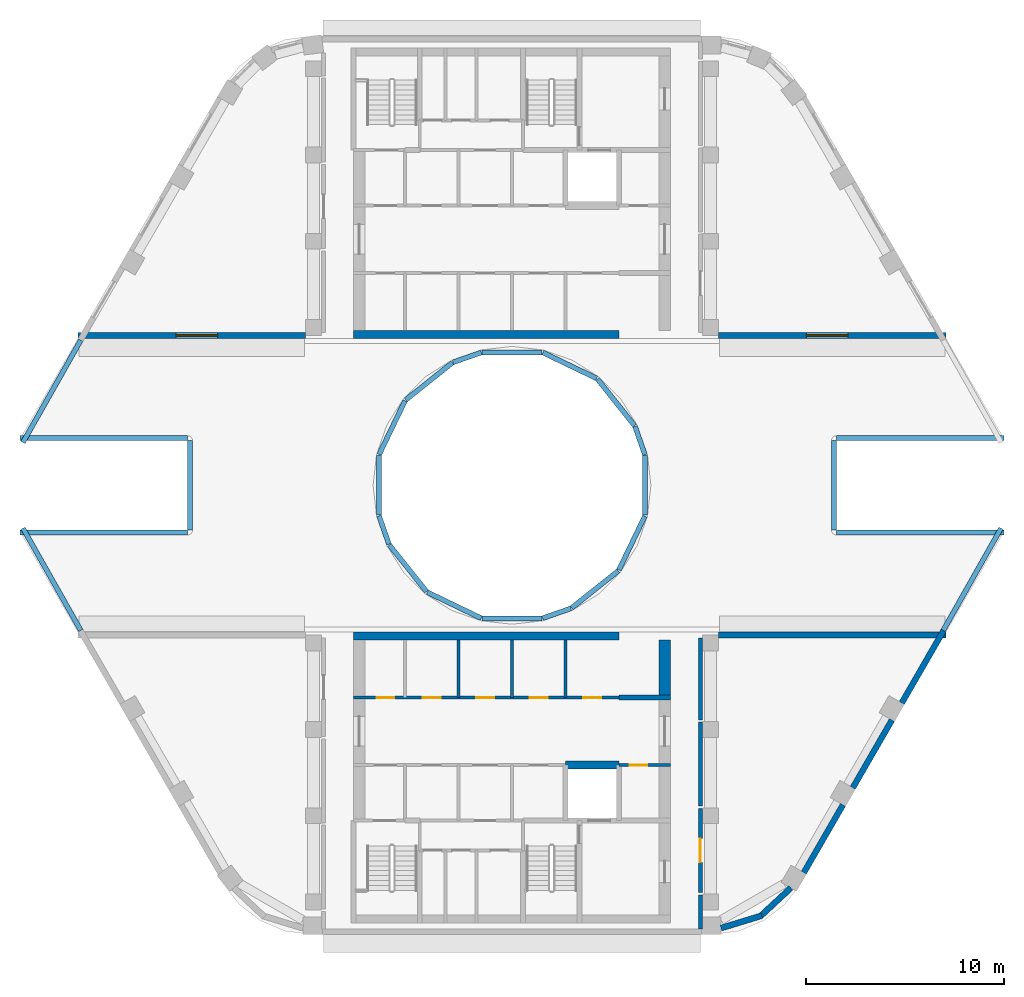
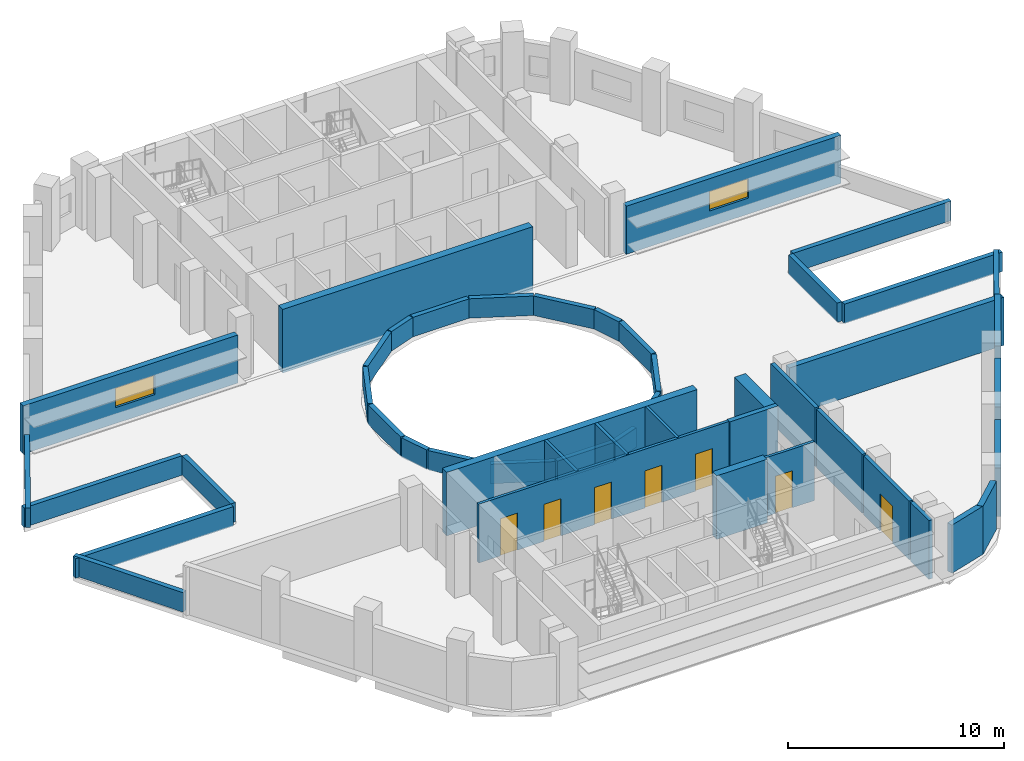
# One storey, part 3 of 9: 47 walls, 7 doors, 2 windows, 9 openings.
"""IFC4 building model written with IfcOpenShell, lengths in metres."""

from ifc_helpers import new_model, si_unit, direction, frame, frame_2d, origin, place, context, subcontext, project, spatial, rectangle, extrude, material, layer, layer_set, type_object, element, fill, save


model = new_model("IFC4")

# Units and contexts
model_context = context("Model", 3, precision=1e-05, world=origin(), true_north=direction((0.0, 1.0)))
body_context = subcontext(model_context, "Body", "Model", "MODEL_VIEW")
ifc_project = project(units=[si_unit("LENGTHUNIT", "METRE"), si_unit("AREAUNIT", "SQUARE_METRE"), si_unit("VOLUMEUNIT", "CUBIC_METRE"), si_unit("PLANEANGLEUNIT", "RADIAN"), si_unit("MASSUNIT", "GRAM", prefix="KILO")], contexts=[model_context])

# Site, building, storey
site_placement = place(None, origin())
site = spatial("IfcSite", under=ifc_project, at=site_placement, CompositionType="ELEMENT")
building_placement = place(site_placement, origin())
building = spatial("IfcBuilding", under=site, at=building_placement, Name="Nakaniwa Court", CompositionType="ELEMENT")
storey_placement = place(building_placement, frame((0.0, 0.0, 276.0)))
storey = spatial("IfcBuildingStorey", under=building, at=storey_placement, Name="C02", CompositionType="ELEMENT", Elevation=276.0)

# Wall
ifc_material_1 = material(Name="Acoustic double stud partition")
ifc_layer_1 = layer(ifc_material_1, 0.199951171875)
ifc_layer_set_1 = layer_set([ifc_layer_1], Name="Acoustic double stud partition")
wall_type_1 = type_object("IfcWallType", Name="Acoustic double stud partition 200", PredefinedType="PARTITIONING", material=ifc_layer_set_1)
wall_1_placement = place(storey_placement, frame((89.5, 57.64990234375, 0.0), z_axis=(0.0, 0.0, 1.0), x_axis=(0.0, 1.0, 0.0)))
element("IfcWall", 1, at=wall_1_placement, inside=storey, type_object=wall_type_1, Name="Partition PW-057", PredefinedType="PARTITIONING", context=body_context, shape_type="SweptSolid", body=[
    extrude(rectangle(XDim=1.713134765625, YDim=0.199951171875, at=frame_2d((0.8564453125, 0.0))), origin(), (0.0, 0.0, 1.0), 3.324951171875),
])

# Wall, opening, door
wall_2_placement = place(storey_placement, frame((89.5, 63.712890625, 0.0), z_axis=(0.0, 0.0, 1.0), x_axis=(0.0, -1.0, 0.0)))
wall_2 = element("IfcWall", 2, at=wall_2_placement, inside=storey, type_object=wall_type_1, Name="Partition PW-058", PredefinedType="PARTITIONING", context=body_context, shape_type="SweptSolid", body=[
    extrude(rectangle(XDim=4.23583984375, YDim=0.199951171875, at=frame_2d((2.117919921875, 0.0))), origin(), (0.0, 0.0, 1.0), 3.324951171875),
])
opening_1_placement = place(wall_2_placement, frame((1.51806640625, 0.0, 0.0)))
opening_1 = element("IfcOpeningElement", 3, at=opening_1_placement, cuts=wall_2, Name="Opening D-30-01", PredefinedType="OPENING", context=body_context, shape_type="SweptSolid", body=[
    extrude(rectangle(XDim=1.199951171875, YDim=2.10009765625, at=frame_2d((0.60009765625, 1.050048828125))), frame((0.0, 0.10986328125, 0.0), z_axis=(0.0, -1.0, 0.0), x_axis=(1.0, 0.0, 0.0)), (0.0, 0.0, 1.0), 0.219970703125),
])
ifc_material_2 = material(Name="Solid core timber door set, black veneer", Category="wood")
door_type_1 = type_object("IfcDoorType", Name="Internal door 1200", OperationType="NOTDEFINED", PredefinedType="DOOR", material=ifc_material_2)
door_1_placement = place(opening_1_placement, origin())
door_1 = element("IfcDoor", 4, at=door_1_placement, inside=storey, type_object=door_type_1, Name="Door D-30-01 C02-033", OperationType="SINGLE_SWING_RIGHT", OverallHeight=2.10009765625, OverallWidth=1.199951171875, PredefinedType="DOOR", context=body_context, shape_type="SweptSolid", body=[
    extrude(rectangle(XDim=1.199951171875, YDim=2.10009765625, at=frame_2d((0.60009765625, 1.050048828125))), frame((0.0, 0.02490234375, 0.0), z_axis=(0.0, -1.0, 0.0), x_axis=(1.0, 0.0, 0.0)), (0.0, 0.0, 1.0), 0.050048828125),
])
fill(opening_1, door_1)

# Walls
wall_3_placement = place(storey_placement, frame((89.5, 63.826904296875, 0.0), z_axis=(0.0, 0.0, 1.0), x_axis=(0.0, 1.0, 0.0)))
element("IfcWall", 5, at=wall_3_placement, inside=storey, type_object=wall_type_1, Name="Partition PW-059", PredefinedType="PARTITIONING", context=body_context, shape_type="SweptSolid", body=[
    extrude(rectangle(XDim=4.236083984375, YDim=0.199951171875, at=frame_2d((2.1181640625, 0.0))), origin(), (0.0, 0.0, 1.0), 3.324951171875),
])
wall_4_placement = place(storey_placement, frame((89.5, 68.177001953125, 0.0), z_axis=(0.0, 0.0, 1.0), x_axis=(0.0, 1.0, 0.0)))
element("IfcWall", 6, at=wall_4_placement, inside=storey, type_object=wall_type_1, Name="Partition PW-060", PredefinedType="PARTITIONING", context=body_context, shape_type="SweptSolid", body=[
    extrude(rectangle(XDim=4.123046875, YDim=0.199951171875, at=frame_2d((2.0615234375, 0.0))), origin(), (0.0, 0.0, 1.0), 3.324951171875),
])
ifc_material_3 = material(Name="Charcoal ceramic cladding")
ifc_layer_2 = layer(ifc_material_3, 0.02, Name="Ceramic cladding")
ifc_material_4 = material(Name="Ventilated air cavity")
ifc_layer_3 = layer(ifc_material_4, 0.04, ventilated=True, Name="Ventilated cavity")
ifc_material_5 = material(Name="Mineral wool insulation")
ifc_layer_4 = layer(ifc_material_5, 0.1, Name="Insulation")
ifc_material_6 = material(Name="Cement bonded sheathing board")
ifc_layer_5 = layer(ifc_material_6, 0.012, Name="Sheathing")
ifc_material_7 = material(Name="Cold-formed galvanised stud frame with mineral wool infill")
ifc_layer_6 = layer(ifc_material_7, 0.1, Name="Stud frame")
ifc_material_8 = material(Name="Fire-rated gypsum plasterboard lining")
ifc_layer_7 = layer(ifc_material_8, 0.028, Name="Lining")
ifc_layer_set_2 = layer_set([ifc_layer_2, ifc_layer_3, ifc_layer_4, ifc_layer_5, ifc_layer_6, ifc_layer_7], Name="Charcoal ceramic faced external wall system")
wall_type_2 = type_object("IfcWallType", Name="Black ceramic faced external wall 300", PredefinedType="SOLIDWALL", material=ifc_layer_set_2)
for number, where, z_axis, x_axis, name in (
    (7, (94.7109375, 60.47998046875, 0.0), (0.0, 0.0, 1.0), (0.499986771468, 0.866033041146, 0.0), "C02 external wall 00"),
    (8, (97.178955078125, 64.7548828125, 0.0), (0.0, 0.0, 1.0), (0.499986771468, 0.866033041146, 0.0), "C02 external wall 01"),
):
    element("IfcWall", number, at=place(storey_placement, frame(where, z_axis=z_axis, x_axis=x_axis)), inside=storey, type_object=wall_type_2, Name=name, PredefinedType="SOLIDWALL", context=body_context, shape_type="SweptSolid", body=[
        extrude(rectangle(XDim=3.9443359375, YDim=0.300048828125, at=frame_2d((1.97216796875, 0.0))), origin(), (0.0, 0.0, 1.0), 2.72509765625),
    ])
wall_5_placement = place(storey_placement, frame((99.647216796875, 69.02978515625, 0.0), z_axis=(0.0, 0.0, 1.0), x_axis=(0.499981865284, 0.866035873614, 0.0)))
element("IfcWall", 9, at=wall_5_placement, inside=storey, type_object=wall_type_2, Name="C02 external wall 02", PredefinedType="SOLIDWALL", context=body_context, shape_type="SweptSolid", body=[
    extrude(rectangle(XDim=4.209228515625, YDim=0.300048828125, at=frame_2d((2.1044921875, 0.0))), origin(), (0.0, 0.0, 1.0), 2.72509765625),
])
wall_6_placement = place(storey_placement, frame((101.881591796875, 72.449951171875, 0.0), z_axis=(0.0, 0.0, 1.0), x_axis=(-1.0, 0.0, 0.0)))
element("IfcWall", 10, at=wall_6_placement, inside=storey, type_object=wall_type_2, Name="C02 external wall 03", PredefinedType="SOLIDWALL", context=body_context, shape_type="SweptSolid", body=[
    extrude(rectangle(XDim=11.485595703125, YDim=0.300048828125, at=frame_2d((5.74267578125, 0.0))), origin(), (0.0, 0.0, 1.0), 2.72509765625),
])
wall_7_placement = place(storey_placement, frame((90.53564453125, 57.68310546875, 0.0), z_axis=(0.0, 0.0, 1.0), x_axis=(0.956094906027, 0.293057213987, 0.0)))
element("IfcWall", 11, at=wall_7_placement, inside=storey, type_object=wall_type_2, Name="C02 external wall 11", PredefinedType="SOLIDWALL", context=body_context, shape_type="SweptSolid", body=[
    extrude(rectangle(XDim=2.15185546875, YDim=0.300048828125, at=frame_2d((1.075927734375, 0.0))), origin(), (0.0, 0.0, 1.0), 2.72509765625),
])
wall_8_placement = place(storey_placement, frame((92.485107421875, 58.25048828125, 0.0), z_axis=(0.0, 0.0, 1.0), x_axis=(0.732075899412, 0.681223074697, 0.0)))
element("IfcWall", 12, at=wall_8_placement, inside=storey, type_object=wall_type_2, Name="C02 external wall 12", PredefinedType="SOLIDWALL", context=body_context, shape_type="SweptSolid", body=[
    extrude(rectangle(XDim=2.14599609375, YDim=0.300048828125, at=frame_2d((1.072998046875, 0.0))), origin(), (0.0, 0.0, 1.0), 2.72509765625),
])

# Wall, opening, window
wall_9_placement = place(storey_placement, frame((58.118408203125, 87.550048828125, 0.0), z_axis=(0.0, 0.0, 1.0), x_axis=(1.0, 0.0, 0.0)))
wall_9 = element("IfcWall", 13, at=wall_9_placement, inside=storey, type_object=wall_type_2, Name="C02 external wall 16", PredefinedType="SOLIDWALL", context=body_context, shape_type="SweptSolid", body=[
    extrude(rectangle(XDim=11.485595703125, YDim=0.300048828125, at=frame_2d((5.74267578125, 0.0))), origin(), (0.0, 0.0, 1.0), 2.72509765625),
])
opening_2_placement = place(wall_9_placement, frame((4.9462890625, 0.0, 0.89990234375)))
opening_2 = element("IfcOpeningElement", 14, at=opening_2_placement, cuts=wall_9, Name="Opening W7.04", PredefinedType="OPENING", context=body_context, shape_type="SweptSolid", body=[
    extrude(rectangle(XDim=2.10009765625, YDim=1.10009765625, at=frame_2d((1.050048828125, 0.550048828125))), frame((0.0, 0.159912109375, 0.0), z_axis=(0.0, -1.0, 0.0), x_axis=(1.0, 0.0, 0.0)), (0.0, 0.0, 1.0), 0.320068359375),
])
ifc_material_9 = material(Name="Black anodised aluminium frame with dark low-E laminated double glazing", Category="aluminium")
window_type = type_object("IfcWindowType", Name="Dark glass window 2100x1100 sill 900", PartitioningType="SINGLE_PANEL", PredefinedType="WINDOW", material=ifc_material_9)
window_1_placement = place(opening_2_placement, origin())
window_1 = element("IfcWindow", 15, at=window_1_placement, inside=storey, type_object=window_type, Name="C02 habitable room window 16-0", OverallHeight=1.10009765625, OverallWidth=2.10009765625, PartitioningType="SINGLE_PANEL", PredefinedType="WINDOW", context=body_context, shape_type="SweptSolid", body=[
    extrude(rectangle(XDim=2.10009765625, YDim=1.10009765625, at=frame_2d((1.050048828125, 0.550048828125))), frame((0.0, 0.030029296875, 0.0), z_axis=(0.0, -1.0, 0.0), x_axis=(1.0, 0.0, 0.0)), (0.0, 0.0, 1.0), 0.06005859375),
])
fill(opening_2, window_1)

wall_10_placement = place(storey_placement, frame((90.39599609375, 87.550048828125, 0.0), z_axis=(0.0, 0.0, 1.0), x_axis=(1.0, 0.0, 0.0)))
wall_10 = element("IfcWall", 16, at=wall_10_placement, inside=storey, type_object=wall_type_2, Name="C02 external wall 17", PredefinedType="SOLIDWALL", context=body_context, shape_type="SweptSolid", body=[
    extrude(rectangle(XDim=11.485595703125, YDim=0.300048828125, at=frame_2d((5.74267578125, 0.0))), origin(), (0.0, 0.0, 1.0), 2.72509765625),
])
opening_3_placement = place(wall_10_placement, frame((4.439208984375, 0.0, 0.89990234375)))
opening_3 = element("IfcOpeningElement", 17, at=opening_3_placement, cuts=wall_10, Name="Opening W7.05", PredefinedType="OPENING", context=body_context, shape_type="SweptSolid", body=[
    extrude(rectangle(XDim=2.10009765625, YDim=1.10009765625, at=frame_2d((1.050048828125, 0.550048828125))), frame((0.0, 0.159912109375, 0.0), z_axis=(0.0, -1.0, 0.0), x_axis=(1.0, 0.0, 0.0)), (0.0, 0.0, 1.0), 0.320068359375),
])
window_2_placement = place(opening_3_placement, origin())
window_2 = element("IfcWindow", 18, at=window_2_placement, inside=storey, type_object=window_type, Name="C02 habitable room window 17-0", OverallHeight=1.10009765625, OverallWidth=2.10009765625, PartitioningType="SINGLE_PANEL", PredefinedType="WINDOW", context=body_context, shape_type="SweptSolid", body=[
    extrude(rectangle(XDim=2.10009765625, YDim=1.10009765625, at=frame_2d((1.050048828125, 0.550048828125))), frame((0.0, 0.030029296875, 0.0), z_axis=(0.0, -1.0, 0.0), x_axis=(1.0, 0.0, 0.0)), (0.0, 0.0, 1.0), 0.06005859375),
])
fill(opening_3, window_2)

# Walls
ifc_layer_8 = layer(ifc_material_3, 0.02, Name="Ceramic cladding")
ifc_layer_9 = layer(ifc_material_5, 0.03, Name="Insulation")
ifc_material_10 = material(Name="Precast concrete C40/50", Category="concrete")
ifc_layer_10 = layer(ifc_material_10, 0.2, Name="Parapet upstand")
ifc_layer_set_3 = layer_set([ifc_layer_8, ifc_layer_9, ifc_layer_10], Name="Charcoal ceramic cladding on precast concrete C40/50 upstand")
wall_type_3 = type_object("IfcWallType", Name="Black ceramic parapet 250", PredefinedType="PARAPET", material=ifc_layer_set_3)
wall_11_placement = place(storey_placement, frame((96.224609375, 77.75, 0.0), z_axis=(0.0, 0.0, 1.0), x_axis=(0.0, 1.0, 0.0)))
element("IfcWall", 19, at=wall_11_placement, inside=storey, type_object=wall_type_3, Name="C01 roof parapet, lower roof 1 1", PredefinedType="PARAPET", context=body_context, shape_type="SweptSolid", body=[
    extrude(rectangle(XDim=4.5, YDim=0.25, at=frame_2d((2.25, 0.0))), origin(), (0.0, 0.0, 1.0), 1.10009765625),
])
wall_12_placement = place(storey_placement, frame((96.349609375, 82.375, 0.0), z_axis=(0.0, 0.0, 1.0), x_axis=(1.0, 0.0, 0.0)))
element("IfcWall", 20, at=wall_12_placement, inside=storey, type_object=wall_type_3, Name="C01 roof parapet, lower roof 1 2", PredefinedType="PARAPET", context=body_context, shape_type="SweptSolid", body=[
    extrude(rectangle(XDim=8.4482421875, YDim=0.25, at=frame_2d((4.22412109375, 0.0))), origin(), (0.0, 0.0, 1.0), 1.10009765625),
])
wall_13_placement = place(storey_placement, frame((58.267578125, 87.315673828125, 0.0), z_axis=(0.0, 0.0, 1.0), x_axis=(-0.492736734633, -0.870178435922, 0.0)))
element("IfcWall", 21, at=wall_13_placement, inside=storey, type_object=wall_type_3, Name="C01 roof parapet, lower roof 1 4", PredefinedType="PARAPET", context=body_context, shape_type="SweptSolid", body=[
    extrude(rectangle(XDim=5.91845703125, YDim=0.25, at=frame_2d((2.959228515625, 0.0))), origin(), (0.0, 0.0, 1.0), 1.10009765625),
])
wall_14_placement = place(storey_placement, frame((55.2021484375, 82.375, 0.0), z_axis=(0.0, 0.0, 1.0), x_axis=(1.0, 0.0, 0.0)))
element("IfcWall", 22, at=wall_14_placement, inside=storey, type_object=wall_type_3, Name="C01 roof parapet, lower roof 1 5", PredefinedType="PARAPET", context=body_context, shape_type="SweptSolid", body=[
    extrude(rectangle(XDim=8.4482421875, YDim=0.25, at=frame_2d((4.22412109375, 0.0))), origin(), (0.0, 0.0, 1.0), 1.10009765625),
])
wall_15_placement = place(storey_placement, frame((63.775390625, 82.25, 0.0), z_axis=(0.0, 0.0, 1.0), x_axis=(0.0, -1.0, 0.0)))
element("IfcWall", 23, at=wall_15_placement, inside=storey, type_object=wall_type_3, Name="C01 roof parapet, lower roof 1 6", PredefinedType="PARAPET", context=body_context, shape_type="SweptSolid", body=[
    extrude(rectangle(XDim=4.5, YDim=0.25, at=frame_2d((2.25, 0.0))), origin(), (0.0, 0.0, 1.0), 1.10009765625),
])
wall_16_placement = place(storey_placement, frame((63.650390625, 77.625, 0.0), z_axis=(0.0, 0.0, 1.0), x_axis=(-1.0, 0.0, 0.0)))
element("IfcWall", 24, at=wall_16_placement, inside=storey, type_object=wall_type_3, Name="C01 roof parapet, lower roof 1 7", PredefinedType="PARAPET", context=body_context, shape_type="SweptSolid", body=[
    extrude(rectangle(XDim=8.4482421875, YDim=0.25, at=frame_2d((4.22412109375, 0.0))), origin(), (0.0, 0.0, 1.0), 1.10009765625),
])
for number, where, z_axis, x_axis, name in (
    (25, (55.351318359375, 77.83447265625, 0.0), (0.0, 0.0, 1.0), (0.492736734633, -0.870178435922, 0.0), "C01 roof parapet, lower roof 1 8"),
    (26, (101.732421875, 72.684326171875, 0.0), (0.0, 0.0, 1.0), (0.492736734633, 0.870178435922, 0.0), "C01 roof parapet, lower roof 1 9"),
):
    element("IfcWall", number, at=place(storey_placement, frame(where, z_axis=z_axis, x_axis=x_axis)), inside=storey, type_object=wall_type_3, Name=name, PredefinedType="PARAPET", context=body_context, shape_type="SweptSolid", body=[
        extrude(rectangle(XDim=5.91845703125, YDim=0.25, at=frame_2d((2.959228515625, 0.0))), origin(), (0.0, 0.0, 1.0), 1.10009765625),
    ])
wall_17_placement = place(storey_placement, frame((104.7978515625, 77.625, 0.0), z_axis=(0.0, 0.0, 1.0), x_axis=(-1.0, 0.0, 0.0)))
element("IfcWall", 27, at=wall_17_placement, inside=storey, type_object=wall_type_3, Name="C01 roof parapet, lower roof 1 10", PredefinedType="PARAPET", context=body_context, shape_type="SweptSolid", body=[
    extrude(rectangle(XDim=8.4482421875, YDim=0.25, at=frame_2d((4.22412109375, 0.0))), origin(), (0.0, 0.0, 1.0), 1.10009765625),
])
wall_18_placement = place(storey_placement, frame((86.199462890625, 82.969970703125, 0.0), z_axis=(0.0, 0.0, 1.0), x_axis=(0.330292869582, -0.943878498697, 0.0)))
element("IfcWall", 28, at=wall_18_placement, inside=storey, type_object=wall_type_3, Name="C01 roof parapet, lower roof 1 11", PredefinedType="PARAPET", context=body_context, shape_type="SweptSolid", body=[
    extrude(rectangle(XDim=1.511474609375, YDim=0.25, at=frame_2d((0.755859375, 0.0))), origin(), (0.0, 0.0, 1.0), 1.10009765625),
])
wall_19_placement = place(storey_placement, frame((86.705810546875, 81.501953125, 0.0), z_axis=(0.0, 0.0, 1.0), x_axis=(0.0, -1.0, 0.0)))
element("IfcWall", 29, at=wall_19_placement, inside=storey, type_object=wall_type_3, Name="C01 roof parapet, lower roof 1 12", PredefinedType="PARAPET", context=body_context, shape_type="SweptSolid", body=[
    extrude(rectangle(XDim=3.00390625, YDim=0.25, at=frame_2d((1.501953125, 0.0))), origin(), (0.0, 0.0, 1.0), 1.10009765625),
])
wall_20_placement = place(storey_placement, frame((86.693359375, 78.44384765625, 0.0), z_axis=(0.0, 0.0, 1.0), x_axis=(-0.433901140491, -0.900960487635, 0.0)))
element("IfcWall", 30, at=wall_20_placement, inside=storey, type_object=wall_type_3, Name="C01 roof parapet, lower roof 1 13", PredefinedType="PARAPET", context=body_context, shape_type="SweptSolid", body=[
    extrude(rectangle(XDim=3.004150390625, YDim=0.25, at=frame_2d((1.501953125, 0.0))), origin(), (0.0, 0.0, 1.0), 1.10009765625),
])
wall_21_placement = place(storey_placement, frame((85.355224609375, 75.693603515625, 0.0), z_axis=(0.0, 0.0, 1.0), x_axis=(-0.781858976851, -0.623455323433, 0.0)))
element("IfcWall", 31, at=wall_21_placement, inside=storey, type_object=wall_type_3, Name="C01 roof parapet, lower roof 1 14", PredefinedType="PARAPET", context=body_context, shape_type="SweptSolid", body=[
    extrude(rectangle(XDim=3.00390625, YDim=0.25, at=frame_2d((1.501953125, 0.0))), origin(), (0.0, 0.0, 1.0), 1.10009765625),
])
wall_22_placement = place(storey_placement, frame((82.969970703125, 73.800537109375, 0.0), z_axis=(0.0, 0.0, 1.0), x_axis=(-0.943878498697, -0.330292869582, 0.0)))
element("IfcWall", 32, at=wall_22_placement, inside=storey, type_object=wall_type_3, Name="C01 roof parapet, lower roof 1 15", PredefinedType="PARAPET", context=body_context, shape_type="SweptSolid", body=[
    extrude(rectangle(XDim=1.511474609375, YDim=0.25, at=frame_2d((0.755859375, 0.0))), origin(), (0.0, 0.0, 1.0), 1.10009765625),
])
wall_23_placement = place(storey_placement, frame((81.501953125, 73.294189453125, 0.0), z_axis=(0.0, 0.0, 1.0), x_axis=(-1.0, 0.0, 0.0)))
element("IfcWall", 33, at=wall_23_placement, inside=storey, type_object=wall_type_3, Name="C01 roof parapet, lower roof 1 16", PredefinedType="PARAPET", context=body_context, shape_type="SweptSolid", body=[
    extrude(rectangle(XDim=3.00390625, YDim=0.25, at=frame_2d((1.501953125, 0.0))), origin(), (0.0, 0.0, 1.0), 1.10009765625),
])
wall_24_placement = place(storey_placement, frame((78.44384765625, 73.306640625, 0.0), z_axis=(0.0, 0.0, 1.0), x_axis=(-0.900960487635, 0.433901140491, 0.0)))
element("IfcWall", 34, at=wall_24_placement, inside=storey, type_object=wall_type_3, Name="C01 roof parapet, lower roof 1 17", PredefinedType="PARAPET", context=body_context, shape_type="SweptSolid", body=[
    extrude(rectangle(XDim=3.004150390625, YDim=0.25, at=frame_2d((1.501953125, 0.0))), origin(), (0.0, 0.0, 1.0), 1.10009765625),
])
wall_25_placement = place(storey_placement, frame((75.693603515625, 74.644775390625, 0.0), z_axis=(0.0, 0.0, 1.0), x_axis=(-0.623455323433, 0.781858976851, 0.0)))
element("IfcWall", 35, at=wall_25_placement, inside=storey, type_object=wall_type_3, Name="C01 roof parapet, lower roof 1 18", PredefinedType="PARAPET", context=body_context, shape_type="SweptSolid", body=[
    extrude(rectangle(XDim=3.00390625, YDim=0.25, at=frame_2d((1.501953125, 0.0))), origin(), (0.0, 0.0, 1.0), 1.10009765625),
])
wall_26_placement = place(storey_placement, frame((73.800537109375, 77.030029296875, 0.0), z_axis=(0.0, 0.0, 1.0), x_axis=(-0.330292869582, 0.943878498697, 0.0)))
element("IfcWall", 36, at=wall_26_placement, inside=storey, type_object=wall_type_3, Name="C01 roof parapet, lower roof 1 19", PredefinedType="PARAPET", context=body_context, shape_type="SweptSolid", body=[
    extrude(rectangle(XDim=1.511474609375, YDim=0.25, at=frame_2d((0.755859375, 0.0))), origin(), (0.0, 0.0, 1.0), 1.10009765625),
])
wall_27_placement = place(storey_placement, frame((73.294189453125, 78.498046875, 0.0), z_axis=(0.0, 0.0, 1.0), x_axis=(0.0, 1.0, 0.0)))
element("IfcWall", 37, at=wall_27_placement, inside=storey, type_object=wall_type_3, Name="C01 roof parapet, lower roof 1 20", PredefinedType="PARAPET", context=body_context, shape_type="SweptSolid", body=[
    extrude(rectangle(XDim=3.00390625, YDim=0.25, at=frame_2d((1.501953125, 0.0))), origin(), (0.0, 0.0, 1.0), 1.10009765625),
])
wall_28_placement = place(storey_placement, frame((73.306640625, 81.55615234375, 0.0), z_axis=(0.0, 0.0, 1.0), x_axis=(0.433901140491, 0.900960487635, 0.0)))
element("IfcWall", 38, at=wall_28_placement, inside=storey, type_object=wall_type_3, Name="C01 roof parapet, lower roof 1 21", PredefinedType="PARAPET", context=body_context, shape_type="SweptSolid", body=[
    extrude(rectangle(XDim=3.004150390625, YDim=0.25, at=frame_2d((1.501953125, 0.0))), origin(), (0.0, 0.0, 1.0), 1.10009765625),
])
wall_29_placement = place(storey_placement, frame((74.644775390625, 84.306396484375, 0.0), z_axis=(0.0, 0.0, 1.0), x_axis=(0.781858976851, 0.623455323433, 0.0)))
element("IfcWall", 39, at=wall_29_placement, inside=storey, type_object=wall_type_3, Name="C01 roof parapet, lower roof 1 22", PredefinedType="PARAPET", context=body_context, shape_type="SweptSolid", body=[
    extrude(rectangle(XDim=3.00390625, YDim=0.25, at=frame_2d((1.501953125, 0.0))), origin(), (0.0, 0.0, 1.0), 1.10009765625),
])
wall_30_placement = place(storey_placement, frame((77.030029296875, 86.199462890625, 0.0), z_axis=(0.0, 0.0, 1.0), x_axis=(0.943878498697, 0.330292869582, 0.0)))
element("IfcWall", 40, at=wall_30_placement, inside=storey, type_object=wall_type_3, Name="C01 roof parapet, lower roof 1 23", PredefinedType="PARAPET", context=body_context, shape_type="SweptSolid", body=[
    extrude(rectangle(XDim=1.511474609375, YDim=0.25, at=frame_2d((0.755859375, 0.0))), origin(), (0.0, 0.0, 1.0), 1.10009765625),
])
wall_31_placement = place(storey_placement, frame((78.498046875, 86.705810546875, 0.0), z_axis=(0.0, 0.0, 1.0), x_axis=(1.0, 0.0, 0.0)))
element("IfcWall", 41, at=wall_31_placement, inside=storey, type_object=wall_type_3, Name="C01 roof parapet, lower roof 1 24", PredefinedType="PARAPET", context=body_context, shape_type="SweptSolid", body=[
    extrude(rectangle(XDim=3.00390625, YDim=0.25, at=frame_2d((1.501953125, 0.0))), origin(), (0.0, 0.0, 1.0), 1.10009765625),
])
wall_32_placement = place(storey_placement, frame((81.55615234375, 86.693359375, 0.0), z_axis=(0.0, 0.0, 1.0), x_axis=(0.900960487635, -0.433901140491, 0.0)))
element("IfcWall", 42, at=wall_32_placement, inside=storey, type_object=wall_type_3, Name="C01 roof parapet, lower roof 1 25", PredefinedType="PARAPET", context=body_context, shape_type="SweptSolid", body=[
    extrude(rectangle(XDim=3.004150390625, YDim=0.25, at=frame_2d((1.501953125, 0.0))), origin(), (0.0, 0.0, 1.0), 1.10009765625),
])
wall_33_placement = place(storey_placement, frame((84.306396484375, 85.355224609375, 0.0), z_axis=(0.0, 0.0, 1.0), x_axis=(0.623455323433, -0.781858976851, 0.0)))
element("IfcWall", 43, at=wall_33_placement, inside=storey, type_object=wall_type_3, Name="C01 roof parapet, lower roof 1 26", PredefinedType="PARAPET", context=body_context, shape_type="SweptSolid", body=[
    extrude(rectangle(XDim=3.00390625, YDim=0.25, at=frame_2d((1.501953125, 0.0))), origin(), (0.0, 0.0, 1.0), 1.10009765625),
])

# Wall, openings, doors
ifc_material_11 = material(Name="Blockwork partition", Category="masonry")
ifc_layer_11 = layer(ifc_material_11, 0.14990234375)
ifc_layer_set_4 = layer_set([ifc_layer_11], Name="Blockwork partition")
wall_type_4 = type_object("IfcWallType", Name="Blockwork partition 150", PredefinedType="PARTITIONING", material=ifc_layer_set_4)
wall_34_placement = place(storey_placement, frame((72.0, 69.300048828125, 0.0), z_axis=(0.0, 0.0, 1.0), x_axis=(1.0, 0.0, 0.0)))
wall_34 = element("IfcWall", 44, at=wall_34_placement, inside=storey, type_object=wall_type_4, Name="Partition PW-031", PredefinedType="PARTITIONING", context=body_context, shape_type="SweptSolid", body=[
    extrude(rectangle(XDim=13.39990234375, YDim=0.14990234375, at=frame_2d((6.699951171875, 0.0))), origin(), (0.0, 0.0, 1.0), 3.324951171875),
])
opening_4_placement = place(wall_34_placement, frame((1.175048828125, 0.0, 0.0)))
opening_4 = element("IfcOpeningElement", 45, at=opening_4_placement, cuts=wall_34, Name="Opening D-05-12", PredefinedType="OPENING", context=body_context, shape_type="SweptSolid", body=[
    extrude(rectangle(XDim=0.89990234375, YDim=2.10009765625, at=frame_2d((0.449951171875, 1.050048828125))), frame((0.0, 0.0849609375, 0.0), z_axis=(0.0, -1.0, 0.0), x_axis=(1.0, 0.0, 0.0)), (0.0, 0.0, 1.0), 0.169921875),
])
opening_5_placement = place(wall_34_placement, frame((3.5, 0.0, 0.0)))
opening_5 = element("IfcOpeningElement", 46, at=opening_5_placement, cuts=wall_34, Name="Opening D-05-13", PredefinedType="OPENING", context=body_context, shape_type="SweptSolid", body=[
    extrude(rectangle(XDim=0.89990234375, YDim=2.10009765625, at=frame_2d((0.449951171875, 1.050048828125))), frame((0.0, 0.0849609375, 0.0), z_axis=(0.0, -1.0, 0.0), x_axis=(1.0, 0.0, 0.0)), (0.0, 0.0, 1.0), 0.169921875),
])
opening_6_placement = place(wall_34_placement, frame((6.199951171875, 0.0, 0.0)))
opening_6 = element("IfcOpeningElement", 47, at=opening_6_placement, cuts=wall_34, Name="Opening D-05-14", PredefinedType="OPENING", context=body_context, shape_type="SweptSolid", body=[
    extrude(rectangle(XDim=0.89990234375, YDim=2.10009765625, at=frame_2d((0.449951171875, 1.050048828125))), frame((0.0, 0.0849609375, 0.0), z_axis=(0.0, -1.0, 0.0), x_axis=(1.0, 0.0, 0.0)), (0.0, 0.0, 1.0), 0.169921875),
])
opening_7_placement = place(wall_34_placement, frame((8.89990234375, 0.0, 0.0)))
opening_7 = element("IfcOpeningElement", 48, at=opening_7_placement, cuts=wall_34, Name="Opening D-05-15", PredefinedType="OPENING", context=body_context, shape_type="SweptSolid", body=[
    extrude(rectangle(XDim=0.89990234375, YDim=2.10009765625, at=frame_2d((0.449951171875, 1.050048828125))), frame((0.0, 0.0849609375, 0.0), z_axis=(0.0, -1.0, 0.0), x_axis=(1.0, 0.0, 0.0)), (0.0, 0.0, 1.0), 0.169921875),
])
opening_8_placement = place(wall_34_placement, frame((11.60009765625, 0.0, 0.0)))
opening_8 = element("IfcOpeningElement", 49, at=opening_8_placement, cuts=wall_34, Name="Opening D-05-16", PredefinedType="OPENING", context=body_context, shape_type="SweptSolid", body=[
    extrude(rectangle(XDim=0.89990234375, YDim=2.10009765625, at=frame_2d((0.449951171875, 1.050048828125))), frame((0.0, 0.0849609375, 0.0), z_axis=(0.0, -1.0, 0.0), x_axis=(1.0, 0.0, 0.0)), (0.0, 0.0, 1.0), 0.169921875),
])
ifc_material_12 = material(Name="Fire rated steel door set", Category="steel")
door_type_2 = type_object("IfcDoorType", Name="Service room door 900", OperationType="NOTDEFINED", PredefinedType="DOOR", material=ifc_material_12)
door_2_placement = place(opening_4_placement, origin())
door_2 = element("IfcDoor", 50, at=door_2_placement, inside=storey, type_object=door_type_2, Name="Door D-05-12 C02-017", OperationType="SINGLE_SWING_RIGHT", OverallHeight=2.10009765625, OverallWidth=0.89990234375, PredefinedType="DOOR", context=body_context, shape_type="SweptSolid", body=[
    extrude(rectangle(XDim=0.89990234375, YDim=2.10009765625, at=frame_2d((0.449951171875, 1.050048828125))), frame((0.0, 0.02490234375, 0.0), z_axis=(0.0, -1.0, 0.0), x_axis=(1.0, 0.0, 0.0)), (0.0, 0.0, 1.0), 0.050048828125),
])
fill(opening_4, door_2)
door_3_placement = place(opening_5_placement, origin())
door_3 = element("IfcDoor", 51, at=door_3_placement, inside=storey, type_object=door_type_2, Name="Door D-05-13 C02-018", OperationType="SINGLE_SWING_LEFT", OverallHeight=2.10009765625, OverallWidth=0.89990234375, PredefinedType="DOOR", context=body_context, shape_type="SweptSolid", body=[
    extrude(rectangle(XDim=0.89990234375, YDim=2.10009765625, at=frame_2d((0.449951171875, 1.050048828125))), frame((0.0, 0.02490234375, 0.0), z_axis=(0.0, -1.0, 0.0), x_axis=(1.0, 0.0, 0.0)), (0.0, 0.0, 1.0), 0.050048828125),
])
fill(opening_5, door_3)
door_4_placement = place(opening_6_placement, origin())
door_4 = element("IfcDoor", 52, at=door_4_placement, inside=storey, type_object=door_type_2, Name="Door D-05-14 C02-019", OperationType="SINGLE_SWING_RIGHT", OverallHeight=2.10009765625, OverallWidth=0.89990234375, PredefinedType="DOOR", context=body_context, shape_type="SweptSolid", body=[
    extrude(rectangle(XDim=0.89990234375, YDim=2.10009765625, at=frame_2d((0.449951171875, 1.050048828125))), frame((0.0, 0.02490234375, 0.0), z_axis=(0.0, -1.0, 0.0), x_axis=(1.0, 0.0, 0.0)), (0.0, 0.0, 1.0), 0.050048828125),
])
fill(opening_6, door_4)
door_5_placement = place(opening_7_placement, origin())
door_5 = element("IfcDoor", 53, at=door_5_placement, inside=storey, type_object=door_type_2, Name="Door D-05-15 C02-020", OperationType="SINGLE_SWING_LEFT", OverallHeight=2.10009765625, OverallWidth=0.89990234375, PredefinedType="DOOR", context=body_context, shape_type="SweptSolid", body=[
    extrude(rectangle(XDim=0.89990234375, YDim=2.10009765625, at=frame_2d((0.449951171875, 1.050048828125))), frame((0.0, 0.02490234375, 0.0), z_axis=(0.0, -1.0, 0.0), x_axis=(1.0, 0.0, 0.0)), (0.0, 0.0, 1.0), 0.050048828125),
])
fill(opening_7, door_5)
door_6_placement = place(opening_8_placement, origin())
door_6 = element("IfcDoor", 54, at=door_6_placement, inside=storey, type_object=door_type_2, Name="Door D-05-16 C02-021", OperationType="SINGLE_SWING_RIGHT", OverallHeight=2.10009765625, OverallWidth=0.89990234375, PredefinedType="DOOR", context=body_context, shape_type="SweptSolid", body=[
    extrude(rectangle(XDim=0.89990234375, YDim=2.10009765625, at=frame_2d((0.449951171875, 1.050048828125))), frame((0.0, 0.02490234375, 0.0), z_axis=(0.0, -1.0, 0.0), x_axis=(1.0, 0.0, 0.0)), (0.0, 0.0, 1.0), 0.050048828125),
])
fill(opening_8, door_6)

# Walls
for number, where, z_axis, x_axis, name in (
    (55, (77.300048828125, 69.300048828125, 0.0), (0.0, 0.0, 1.0), (0.0, 1.0, 0.0), "Partition PW-034"),
    (56, (80.0, 69.300048828125, 0.0), (0.0, 0.0, 1.0), (0.0, 1.0, 0.0), "Partition PW-036"),
    (57, (82.699951171875, 69.300048828125, 0.0), (0.0, 0.0, 1.0), (0.0, 1.0, 0.0), "Partition PW-037"),
):
    element("IfcWall", number, at=place(storey_placement, frame(where, z_axis=z_axis, x_axis=x_axis)), inside=storey, type_object=wall_type_4, Name=name, PredefinedType="PARTITIONING", context=body_context, shape_type="SweptSolid", body=[
        extrude(rectangle(XDim=2.89990234375, YDim=0.14990234375, at=frame_2d((1.449951171875, 0.0))), origin(), (0.0, 0.0, 1.0), 3.324951171875),
    ])

# Wall, opening, door
wall_35_placement = place(storey_placement, frame((88.0, 65.89990234375, 0.0), z_axis=(0.0, 0.0, 1.0), x_axis=(-1.0, 0.0, 0.0)))
wall_35 = element("IfcWall", 58, at=wall_35_placement, inside=storey, type_object=wall_type_4, Name="Partition PW-039", PredefinedType="PARTITIONING", context=body_context, shape_type="SweptSolid", body=[
    extrude(rectangle(XDim=2.60302734375, YDim=0.14990234375, at=frame_2d((1.301513671875, 0.0))), origin(), (0.0, 0.0, 1.0), 3.324951171875),
])
opening_9_placement = place(wall_35_placement, frame((1.175048828125, 0.0, 0.0)))
opening_9 = element("IfcOpeningElement", 59, at=opening_9_placement, cuts=wall_35, Name="Opening D-05-19", PredefinedType="OPENING", context=body_context, shape_type="SweptSolid", body=[
    extrude(rectangle(XDim=0.89990234375, YDim=2.10009765625, at=frame_2d((0.449951171875, 1.050048828125))), frame((0.0, 0.0849609375, 0.0), z_axis=(0.0, -1.0, 0.0), x_axis=(1.0, 0.0, 0.0)), (0.0, 0.0, 1.0), 0.169921875),
])
door_7_placement = place(opening_9_placement, origin())
door_7 = element("IfcDoor", 60, at=door_7_placement, inside=storey, type_object=door_type_2, Name="Door D-05-19 C02-026", OperationType="SINGLE_SWING_LEFT", OverallHeight=2.10009765625, OverallWidth=0.89990234375, PredefinedType="DOOR", context=body_context, shape_type="SweptSolid", body=[
    extrude(rectangle(XDim=0.89990234375, YDim=2.10009765625, at=frame_2d((0.449951171875, 1.050048828125))), frame((0.0, 0.02490234375, 0.0), z_axis=(0.0, -1.0, 0.0), x_axis=(1.0, 0.0, 0.0)), (0.0, 0.0, 1.0), 0.050048828125),
])
fill(opening_9, door_7)

# Walls
ifc_material_13 = material(Name="Concrete C80/100", Category="concrete")
ifc_layer_12 = layer(ifc_material_13, 0.60009765625)
ifc_layer_set_5 = layer_set([ifc_layer_12], Name="Concrete C80/100")
wall_type_5 = type_object("IfcWallType", Name="Concrete core side wall 600 C80", PredefinedType="SHEAR", material=ifc_layer_set_5)
wall_36_placement = place(storey_placement, frame((87.699951171875, 69.303955078125, -0.27490234375), z_axis=(0.0, 0.0, 1.0), x_axis=(0.0, 1.0, 0.0)))
element("IfcWall", 61, at=wall_36_placement, inside=storey, type_object=wall_type_5, Name="Core wall SW-78", PredefinedType="SHEAR", context=body_context, shape_type="SweptSolid", body=[
    extrude(rectangle(XDim=2.89599609375, YDim=0.60009765625, at=frame_2d((1.447998046875, 0.0))), origin(), (0.0, 0.0, 1.0), 3.599853515625),
])
ifc_layer_13 = layer(ifc_material_13, 0.39990234375)
ifc_layer_set_6 = layer_set([ifc_layer_13], Name="Concrete C80/100")
wall_type_6 = type_object("IfcWallType", Name="Concrete core spine wall 400 C80", PredefinedType="SHEAR", material=ifc_layer_set_6)
wall_37_placement = place(storey_placement, frame((82.697021484375, 65.89990234375, -0.27490234375), z_axis=(0.0, 0.0, 1.0), x_axis=(1.0, 0.0, 0.0)))
element("IfcWall", 62, at=wall_37_placement, inside=storey, type_object=wall_type_6, Name="Core wall SW-40", PredefinedType="SHEAR", context=body_context, shape_type="SweptSolid", body=[
    extrude(rectangle(XDim=2.7060546875, YDim=0.39990234375, at=frame_2d((1.35302734375, 0.0))), origin(), (0.0, 0.0, 1.0), 3.599853515625),
])
ifc_layer_14 = layer(ifc_material_13, 0.39990234375)
ifc_layer_set_7 = layer_set([ifc_layer_14], Name="Concrete C80/100")
wall_type_7 = type_object("IfcWallType", Name="Concrete core well wall 400 C80", PredefinedType="SHEAR", material=ifc_layer_set_7)
for number, where, z_axis, x_axis, name in (
    (63, (72.00390625, 87.60009765625, -0.27490234375), (0.0, 0.0, 1.0), (1.0, 0.0, 0.0), "Core wall SW-73"),
    (64, (72.00390625, 72.39990234375, -0.27490234375), (0.0, 0.0, 1.0), (1.0, 0.0, 0.0), "Core wall SW-77"),
):
    element("IfcWall", number, at=place(storey_placement, frame(where, z_axis=z_axis, x_axis=x_axis)), inside=storey, type_object=wall_type_7, Name=name, PredefinedType="SHEAR", context=body_context, shape_type="SweptSolid", body=[
        extrude(rectangle(XDim=13.39599609375, YDim=0.39990234375, at=frame_2d((6.697998046875, 0.0))), origin(), (0.0, 0.0, 1.0), 3.599853515625),
    ])
ifc_layer_15 = layer(ifc_material_13, 0.25)
ifc_layer_set_8 = layer_set([ifc_layer_15], Name="Concrete C80/100")
wall_type_8 = type_object("IfcWallType", Name="Concrete shaft wall 250 C80", PredefinedType="SHEAR", material=ifc_layer_set_8)
wall_38_placement = place(storey_placement, frame((85.404052734375, 69.300048828125, -0.27490234375), z_axis=(0.0, 0.0, 1.0), x_axis=(1.0, 0.0, 0.0)))
element("IfcWall", 65, at=wall_38_placement, inside=storey, type_object=wall_type_8, Name="Core wall SW-79", PredefinedType="SHEAR", context=body_context, shape_type="SweptSolid", body=[
    extrude(rectangle(XDim=2.592041015625, YDim=0.25, at=frame_2d((1.2958984375, 0.0))), origin(), (0.0, 0.0, 1.0), 3.599853515625),
])

save(model, "model.ifc")
